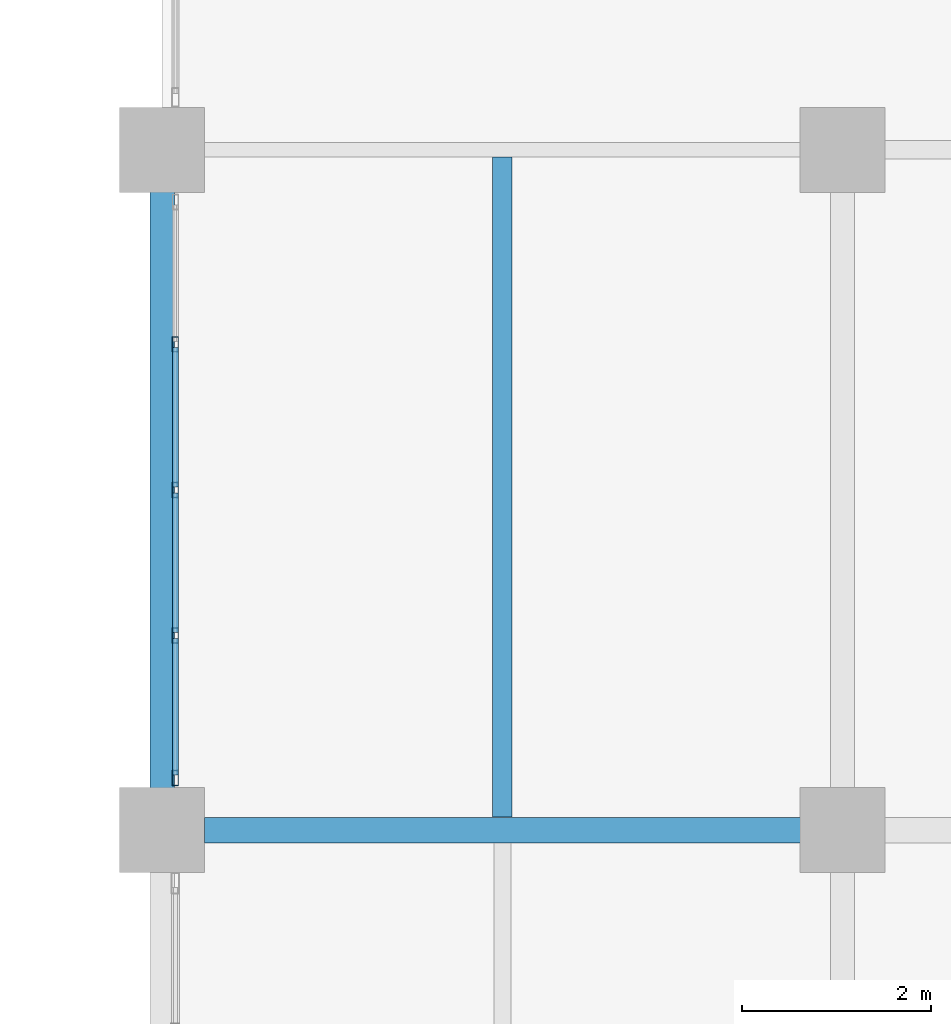
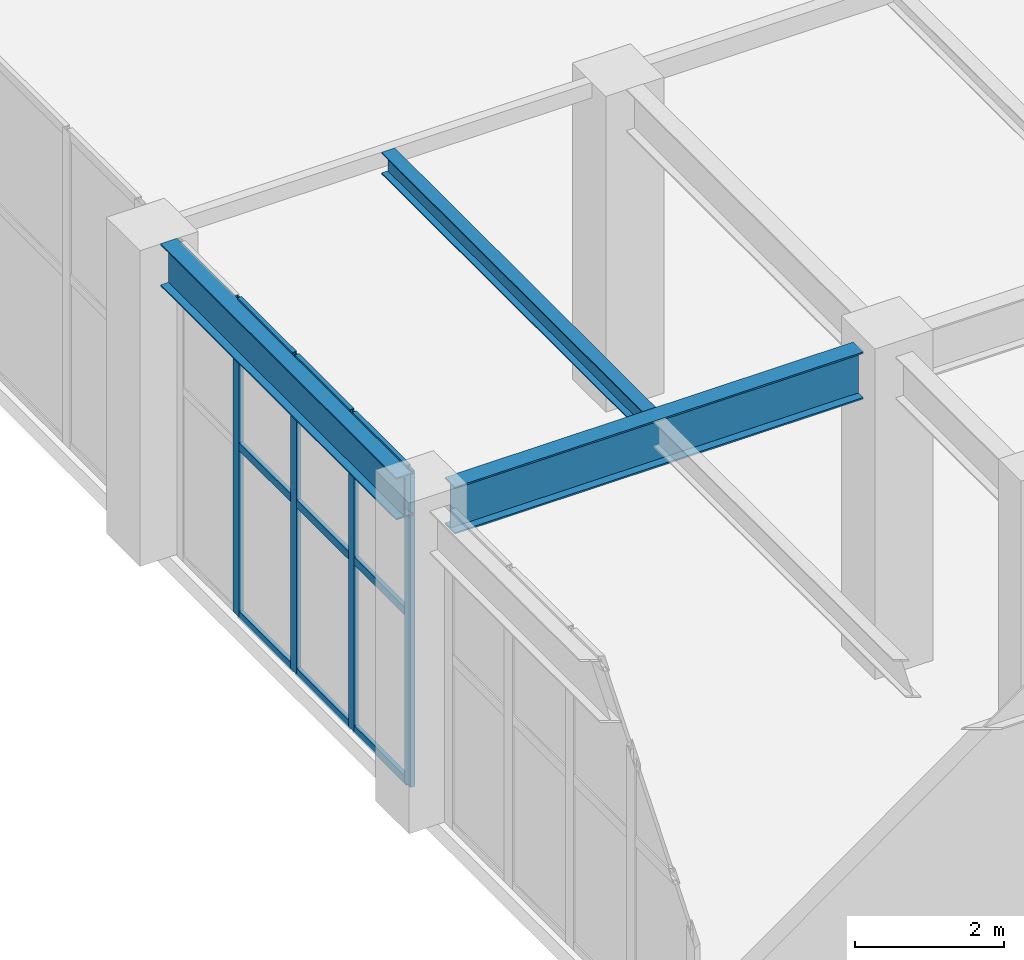
# One storey, part 48 of 139: 13 members, 3 beams, 1 element without a shape of its own.
"""IFC4 building model written with IfcOpenShell, lengths in metres."""

from ifc_helpers import new_model, si_unit, direction, frame, origin, origin_2d, place, context, subcontext, project, spatial, hollow_rectangle, i_section, extrude, material, layer, layer_set, material_profile, profile_set, type_object, element, aggregate, save


model = new_model("IFC4")

# Units and contexts
model_context = context("Model", 3, precision=1e-05, world=origin(), true_north=direction((0.0, 1.0)))
body_context = subcontext(model_context, "Body", "Model", "MODEL_VIEW")
ifc_project = project(units=[si_unit("LENGTHUNIT", "METRE"), si_unit("AREAUNIT", "SQUARE_METRE"), si_unit("VOLUMEUNIT", "CUBIC_METRE"), si_unit("PLANEANGLEUNIT", "RADIAN"), si_unit("MASSUNIT", "GRAM", prefix="KILO")], contexts=[model_context])

# Site, building, storey
site_placement = place(None, origin())
site = spatial("IfcSite", under=ifc_project, at=site_placement, CompositionType="ELEMENT")
building_placement = place(site_placement, origin())
building = spatial("IfcBuilding", under=site, at=building_placement, Name="Xicomal Pleat Aquarium", CompositionType="ELEMENT")
storey_placement = place(building_placement, origin())
storey = spatial("IfcBuildingStorey", under=building, at=storey_placement, Name="L01", CompositionType="ELEMENT", Elevation=0.0)

# Beams
ifc_material_1 = material(Name="Structural steel A992 Gr 50", Category="steel")
ifc_material_profile_1 = material_profile(ifc_material_1, i_section(OverallWidth=0.205078125, OverallDepth=0.35400390625, WebThickness=0.009521484375, FlangeThickness=0.016845703125, at=origin_2d()), Name="IR 360x79")
ifc_profile_set_1 = profile_set([ifc_material_profile_1], Name="Structural steel A992 Gr 50")
beam_type_1 = type_object("IfcBeamType", Name="BM-STL-IR360", PredefinedType="JOIST", material=ifc_profile_set_1)
beam_1_placement = place(storey_placement, frame((6.60009765625, 91.3369140625, 4.98291015625), z_axis=(0.0, 1.0, 0.0), x_axis=(-1.0, 0.0, 0.0)))
element("IfcBeam", 1, at=beam_1_placement, inside=storey, type_object=beam_type_1, Name="L01 framing beam FBJ-L01-01-N-1", PredefinedType="JOIST", context=body_context, shape_type="SweptSolid", body=[
    extrude(i_section(OverallWidth=0.205078125, OverallDepth=0.35400390625, WebThickness=0.009521484375, FlangeThickness=0.016845703125, at=origin_2d()), origin(), (0.0, 0.0, 1.0), 6.985107421875),
])
ifc_material_2 = material(Name="Structural steel A992 Gr 50", Category="steel")
ifc_material_profile_2 = material_profile(ifc_material_2, i_section(OverallWidth=0.256103515625, OverallDepth=0.693115234375, WebThickness=0.014404296875, FlangeThickness=0.023681640625, at=origin_2d()), Name="IR 690x170")
ifc_profile_set_2 = profile_set([ifc_material_profile_2], Name="Structural steel A992 Gr 50")
beam_type_2 = type_object("IfcBeamType", Name="BM-STL-IR690", PredefinedType="BEAM", material=ifc_profile_set_2)
beam_2_placement = place(storey_placement, frame((3.0, 91.64501953125, 4.8134765625), z_axis=(0.0, 1.0, 0.0), x_axis=(-1.0, 0.0, 0.0)))
element("IfcBeam", 2, at=beam_2_placement, inside=storey, type_object=beam_type_2, Name="L01 framing beam FGY-L01-01-N-P", PredefinedType="BEAM", context=body_context, shape_type="SweptSolid", body=[
    extrude(i_section(OverallWidth=0.256103515625, OverallDepth=0.693115234375, WebThickness=0.014404296875, FlangeThickness=0.023681640625, at=origin_2d()), origin(), (0.0, 0.0, 1.0), 6.31005859375),
])
ifc_material_3 = material(Name="Structural steel A992 Gr 50", Category="steel")
ifc_material_profile_3 = material_profile(ifc_material_3, i_section(OverallWidth=0.26806640625, OverallDepth=0.77001953125, WebThickness=0.015625, FlangeThickness=0.025390625, at=origin_2d()), Name="IR 760x196")
ifc_profile_set_3 = profile_set([ifc_material_profile_3], Name="Structural steel A992 Gr 50")
beam_type_3 = type_object("IfcBeamType", Name="BM-STL-IR760", PredefinedType="BEAM", material=ifc_profile_set_3)
beam_3_placement = place(storey_placement, frame((3.445068359375, 91.199951171875, 4.77490234375), z_axis=(1.0, 0.0, 0.0), x_axis=(0.0, 1.0, 0.0)))
element("IfcBeam", 3, at=beam_3_placement, inside=storey, type_object=beam_type_3, Name="L01 framing beam FGX-L01-01-02-N", PredefinedType="BEAM", context=body_context, shape_type="SweptSolid", body=[
    extrude(i_section(OverallWidth=0.26806640625, OverallDepth=0.77001953125, WebThickness=0.015625, FlangeThickness=0.025390625, at=origin_2d()), origin(), (0.0, 0.0, 1.0), 6.309814453125),
])

# Curtain wall, members
ifc_material_4 = material(Name="Bronze anodized aluminium 6063-T6", Category="aluminium")
ifc_layer = layer(ifc_material_4, 0.159912109375)
ifc_layer_set = layer_set([ifc_layer], Name="Bronze anodized aluminium 6063-T6")
curtain_wall_type = type_object("IfcCurtainWallType", Name="CW-SYS-01", PredefinedType="NOTDEFINED", material=ifc_layer_set)
curtain_wall_placement = place(storey_placement, origin())
curtain_wall = element("IfcCurtainWall", 4, at=curtain_wall_placement, inside=storey, type_object=curtain_wall_type, Name="L01 unitised curtain wall CW-L01-012", PredefinedType="NOTDEFINED")
ifc_material_5 = material(Name="Bronze anodized aluminium 6063-T6", Category="aluminium")
ifc_material_profile_4 = material_profile(ifc_material_5, hollow_rectangle(XDim=0.06494140625, YDim=0.159912109375, WallThickness=0.00390625, at=origin_2d()), Name="ALU MULL 65x160")
ifc_profile_set_4 = profile_set([ifc_material_profile_4], Name="Bronze anodized aluminium 6063-T6")
member_type_1 = type_object("IfcMemberType", Name="CWM-65x160", PredefinedType="MULLION", material=ifc_profile_set_4)
member_1_placement = place(storey_placement, frame((3.139892578125, 91.75244140625, 0.0), z_axis=(0.0, 0.0, 1.0), x_axis=(-1.0, 0.0, 0.0)))
member_1 = element("IfcMember", 5, at=member_1_placement, type_object=member_type_1, Name="CW-01 mullion 1", PredefinedType="MULLION", context=body_context, shape_type="SweptSolid", body=[
    extrude(hollow_rectangle(XDim=0.06494140625, YDim=0.159912109375, WallThickness=0.00390625, at=origin_2d()), origin(), (0.0, 0.0, 1.0), 5.159912109375),
])
member_2_placement = place(storey_placement, frame((3.139892578125, 93.260009765625, 0.0), z_axis=(0.0, 0.0, 1.0), x_axis=(-1.0, 0.0, 0.0)))
member_2 = element("IfcMember", 6, at=member_2_placement, type_object=member_type_1, Name="CW-01 mullion 2", PredefinedType="MULLION", context=body_context, shape_type="SweptSolid", body=[
    extrude(hollow_rectangle(XDim=0.06494140625, YDim=0.159912109375, WallThickness=0.00390625, at=origin_2d()), origin(), (0.0, 0.0, 1.0), 5.159912109375),
])
member_3_placement = place(storey_placement, frame((3.139892578125, 94.800048828125, 0.0), z_axis=(0.0, 0.0, 1.0), x_axis=(-1.0, 0.0, 0.0)))
member_3 = element("IfcMember", 7, at=member_3_placement, type_object=member_type_1, Name="CW-01 mullion 3", PredefinedType="MULLION", context=body_context, shape_type="SweptSolid", body=[
    extrude(hollow_rectangle(XDim=0.06494140625, YDim=0.159912109375, WallThickness=0.00390625, at=origin_2d()), origin(), (0.0, 0.0, 1.0), 5.159912109375),
])
member_4_placement = place(storey_placement, frame((3.139892578125, 96.340087890625, 0.0), z_axis=(0.0, 0.0, 1.0), x_axis=(-1.0, 0.0, 0.0)))
member_4 = element("IfcMember", 8, at=member_4_placement, type_object=member_type_1, Name="CW-01 mullion 4", PredefinedType="MULLION", context=body_context, shape_type="SweptSolid", body=[
    extrude(hollow_rectangle(XDim=0.06494140625, YDim=0.159912109375, WallThickness=0.00390625, at=origin_2d()), origin(), (0.0, 0.0, 1.0), 5.159912109375),
])
ifc_material_6 = material(Name="Bronze anodized aluminium 6063-T6", Category="aluminium")
ifc_material_profile_5 = material_profile(ifc_material_6, hollow_rectangle(XDim=0.06494140625, YDim=0.1298828125, WallThickness=0.00390625, at=origin_2d()), Name="ALU TRAN 65x130")
ifc_profile_set_5 = profile_set([ifc_material_profile_5], Name="Bronze anodized aluminium 6063-T6")
member_type_2 = type_object("IfcMemberType", Name="CWT-65x130", PredefinedType="USERDEFINED", material=ifc_profile_set_5)
member_5_placement = place(storey_placement, frame((3.139892578125, 91.784912109375, 0.032470703125), z_axis=(0.0, 1.0, 0.0), x_axis=(-1.0, 0.0, 0.0)))
member_5 = element("IfcMember", 9, at=member_5_placement, type_object=member_type_2, Name="CW-01 transom 1.1", ObjectType="TRANSOM", PredefinedType="USERDEFINED", context=body_context, shape_type="SweptSolid", body=[
    extrude(hollow_rectangle(XDim=0.06494140625, YDim=0.1298828125, WallThickness=0.00390625, at=origin_2d()), origin(), (0.0, 0.0, 1.0), 1.442626953125),
])
member_6_placement = place(storey_placement, frame((3.139892578125, 91.784912109375, 2.785888671875), z_axis=(0.0, 1.0, 0.0), x_axis=(-1.0, 0.0, 0.0)))
member_6 = element("IfcMember", 10, at=member_6_placement, type_object=member_type_2, Name="CW-01 transom 1.2", ObjectType="TRANSOM", PredefinedType="USERDEFINED", context=body_context, shape_type="SweptSolid", body=[
    extrude(hollow_rectangle(XDim=0.06494140625, YDim=0.1298828125, WallThickness=0.00390625, at=origin_2d()), origin(), (0.0, 0.0, 1.0), 1.442626953125),
])
member_7_placement = place(storey_placement, frame((3.139892578125, 91.784912109375, 5.12744140625), z_axis=(0.0, 1.0, 0.0), x_axis=(-1.0, 0.0, 0.0)))
member_7 = element("IfcMember", 11, at=member_7_placement, type_object=member_type_2, Name="CW-01 transom 1.3", ObjectType="TRANSOM", PredefinedType="USERDEFINED", context=body_context, shape_type="SweptSolid", body=[
    extrude(hollow_rectangle(XDim=0.06494140625, YDim=0.1298828125, WallThickness=0.00390625, at=origin_2d()), origin(), (0.0, 0.0, 1.0), 1.442626953125),
])
member_8_placement = place(storey_placement, frame((3.139892578125, 93.29248046875, 0.032470703125), z_axis=(0.0, 1.0, 0.0), x_axis=(-1.0, 0.0, 0.0)))
member_8 = element("IfcMember", 12, at=member_8_placement, type_object=member_type_2, Name="CW-01 transom 2.1", ObjectType="TRANSOM", PredefinedType="USERDEFINED", context=body_context, shape_type="SweptSolid", body=[
    extrude(hollow_rectangle(XDim=0.06494140625, YDim=0.1298828125, WallThickness=0.00390625, at=origin_2d()), origin(), (0.0, 0.0, 1.0), 1.47509765625),
])
member_9_placement = place(storey_placement, frame((3.139892578125, 93.29248046875, 2.785888671875), z_axis=(0.0, 1.0, 0.0), x_axis=(-1.0, 0.0, 0.0)))
member_9 = element("IfcMember", 13, at=member_9_placement, type_object=member_type_2, Name="CW-01 transom 2.2", ObjectType="TRANSOM", PredefinedType="USERDEFINED", context=body_context, shape_type="SweptSolid", body=[
    extrude(hollow_rectangle(XDim=0.06494140625, YDim=0.1298828125, WallThickness=0.00390625, at=origin_2d()), origin(), (0.0, 0.0, 1.0), 1.47509765625),
])
member_10_placement = place(storey_placement, frame((3.139892578125, 93.29248046875, 5.12744140625), z_axis=(0.0, 1.0, 0.0), x_axis=(-1.0, 0.0, 0.0)))
member_10 = element("IfcMember", 14, at=member_10_placement, type_object=member_type_2, Name="CW-01 transom 2.3", ObjectType="TRANSOM", PredefinedType="USERDEFINED", context=body_context, shape_type="SweptSolid", body=[
    extrude(hollow_rectangle(XDim=0.06494140625, YDim=0.1298828125, WallThickness=0.00390625, at=origin_2d()), origin(), (0.0, 0.0, 1.0), 1.47509765625),
])
member_11_placement = place(storey_placement, frame((3.139892578125, 94.83251953125, 0.032470703125), z_axis=(0.0, 1.0, 0.0), x_axis=(-1.0, 0.0, 0.0)))
member_11 = element("IfcMember", 15, at=member_11_placement, type_object=member_type_2, Name="CW-01 transom 3.1", ObjectType="TRANSOM", PredefinedType="USERDEFINED", context=body_context, shape_type="SweptSolid", body=[
    extrude(hollow_rectangle(XDim=0.06494140625, YDim=0.1298828125, WallThickness=0.00390625, at=origin_2d()), origin(), (0.0, 0.0, 1.0), 1.47509765625),
])
member_12_placement = place(storey_placement, frame((3.139892578125, 94.83251953125, 2.785888671875), z_axis=(0.0, 1.0, 0.0), x_axis=(-1.0, 0.0, 0.0)))
member_12 = element("IfcMember", 16, at=member_12_placement, type_object=member_type_2, Name="CW-01 transom 3.2", ObjectType="TRANSOM", PredefinedType="USERDEFINED", context=body_context, shape_type="SweptSolid", body=[
    extrude(hollow_rectangle(XDim=0.06494140625, YDim=0.1298828125, WallThickness=0.00390625, at=origin_2d()), origin(), (0.0, 0.0, 1.0), 1.47509765625),
])
member_13_placement = place(storey_placement, frame((3.139892578125, 94.83251953125, 5.12744140625), z_axis=(0.0, 1.0, 0.0), x_axis=(-1.0, 0.0, 0.0)))
member_13 = element("IfcMember", 17, at=member_13_placement, type_object=member_type_2, Name="CW-01 transom 3.3", ObjectType="TRANSOM", PredefinedType="USERDEFINED", context=body_context, shape_type="SweptSolid", body=[
    extrude(hollow_rectangle(XDim=0.06494140625, YDim=0.1298828125, WallThickness=0.00390625, at=origin_2d()), origin(), (0.0, 0.0, 1.0), 1.47509765625),
])
aggregate(curtain_wall, [member_1, member_2, member_3, member_4, member_5, member_6, member_7, member_8, member_9, member_10, member_11, member_12, member_13])

save(model, "model.ifc")
